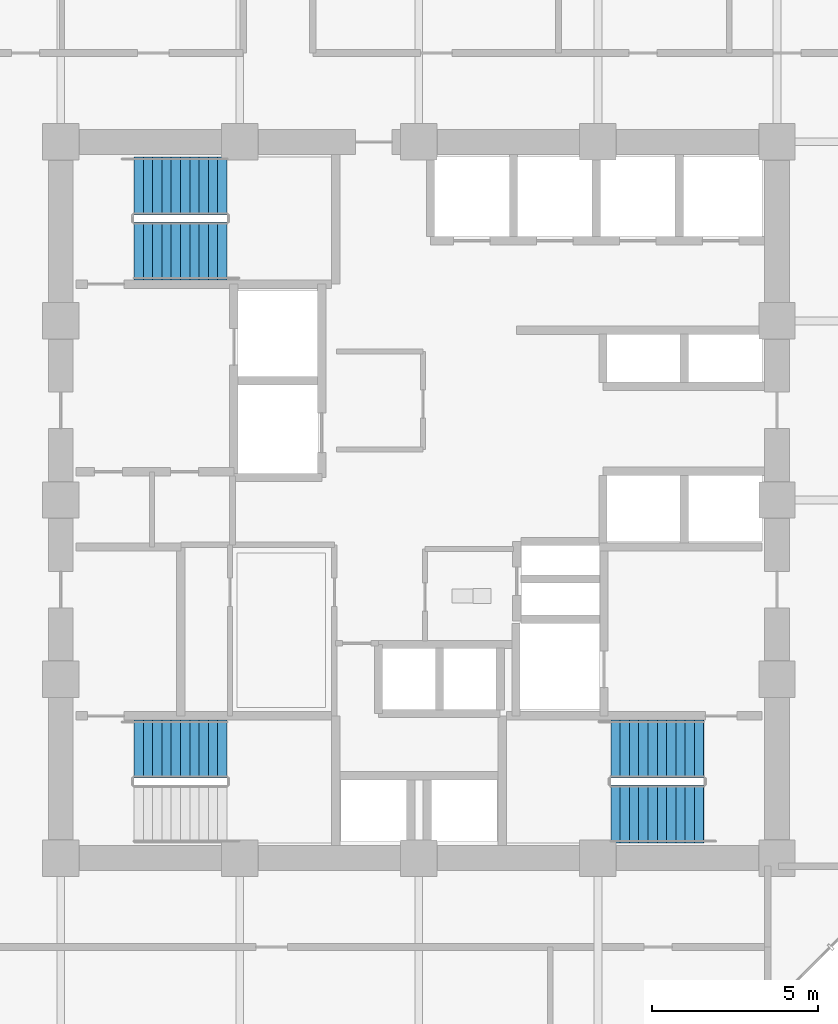
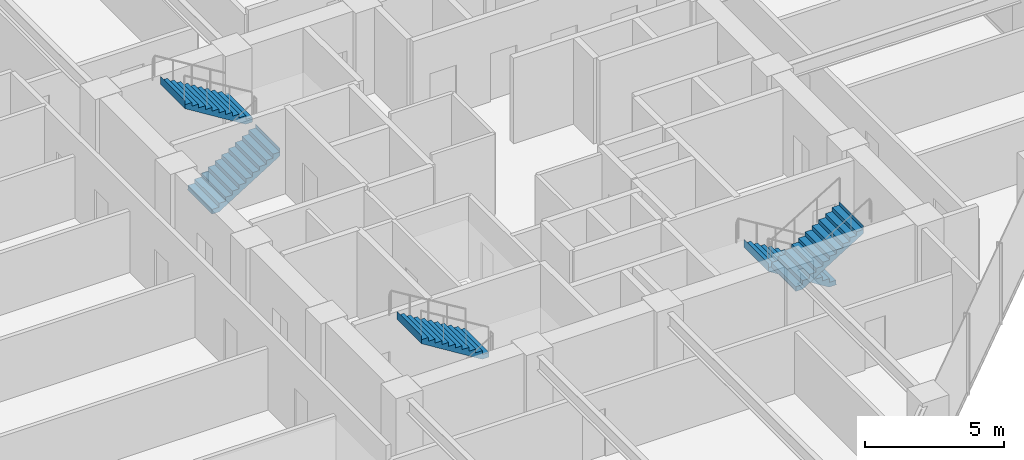
# One storey, part 22 of 25: 5 stair flights, 3 elements without a shape of their own.
"""IFC4 building model written with IfcOpenShell, lengths in metres."""

import ifcopenshell
import ifcopenshell.guid

model = None  # the IFC model being written
_history = None  # IfcOwnerHistory: only IFC2X3 demands one
_inside = {}  # id of a spatial element -> (the spatial element, [elements in it])
_under = {}  # id of a project, library or spatial element -> (it, [spatial elements below it])
_declared = {}  # id of a project -> (the project, [libraries it declares])
_typed = {}  # id of a type object -> (the type object, [elements of that type])
_made_of = {}  # id of a material, layer set ... -> (it, [elements and type objects made of it])


def new_model(schema):
    """Start an empty IFC model of exactly this schema.

    Asked for "IFC4X3", IfcOpenShell would pick the latest addendum, in which some entities
    have other attributes; the version numbers below select the first issue.
    IFC2X3 requires an IfcOwnerHistory on every rooted entity: one is made here for all.
    """
    global model, _history
    if schema == "IFC4X3":
        model = ifcopenshell.file(schema_version=(4, 3, 0, 0))
    else:
        model = ifcopenshell.file(schema=schema)
    _inside.clear()
    _under.clear()
    _declared.clear()
    _typed.clear()
    _made_of.clear()
    _history = None
    if model.schema == "IFC2X3":
        org = make("IfcOrganization", Name="unknown")
        user = make(
            "IfcPersonAndOrganization",
            ThePerson=make("IfcPerson", FamilyName="unknown"),
            TheOrganization=org,
        )
        app = make(
            "IfcApplication",
            ApplicationDeveloper=org,
            Version="unknown",
            ApplicationFullName="unknown",
            ApplicationIdentifier="unknown",
        )
        _history = make(
            "IfcOwnerHistory",
            OwningUser=user,
            OwningApplication=app,
            ChangeAction="ADDED",
            CreationDate=0,
        )
    return model


def make(cls, **values):
    """One entity of the class cls with the attributes given. An attribute that is None is left unset."""
    return model.create_entity(
        cls, **{name: value for name, value in values.items() if value is not None}
    )


def rooted(cls, **values):
    """An entity with a GlobalId (a new one), such as an element, a storey or a relation."""
    return make(cls, GlobalId=ifcopenshell.guid.new(), OwnerHistory=_history, **values)


def si_unit(unit_type, name, prefix=None):
    """IfcSIUnit, for example si_unit("LENGTHUNIT", "METRE", prefix="MILLI")."""
    return make("IfcSIUnit", UnitType=unit_type, Prefix=prefix, Name=name)


def assignment(units):
    """IfcUnitAssignment: the units of a project."""
    return None if units is None else make("IfcUnitAssignment", Units=units)


def point(xyz):
    """IfcCartesianPoint."""
    return None if xyz is None else make("IfcCartesianPoint", Coordinates=xyz)


def direction(xyz):
    """IfcDirection."""
    return None if xyz is None else make("IfcDirection", DirectionRatios=xyz)


def frame(location, z_axis=None, x_axis=None):
    """IfcAxis2Placement3D, a coordinate frame: its origin and axes. An axis left out is left unset."""
    return make(
        "IfcAxis2Placement3D",
        Location=point(location),
        Axis=direction(z_axis),
        RefDirection=direction(x_axis),
    )


def origin():
    """The frame at (0, 0, 0) with its axes left unset."""
    return frame((0.0, 0.0, 0.0))


def place(relative_to, where):
    """IfcLocalPlacement: puts the frame where relative to a parent placement (None: the world)."""
    return make(
        "IfcLocalPlacement", PlacementRelTo=relative_to, RelativePlacement=where
    )


def context(
    kind, dimensions, precision=None, world=None, true_north=None, identifier=None
):
    """IfcGeometricRepresentationContext, for example the 3D "Model" context."""
    return make(
        "IfcGeometricRepresentationContext",
        ContextIdentifier=identifier,
        ContextType=kind,
        CoordinateSpaceDimension=dimensions,
        Precision=precision,
        WorldCoordinateSystem=world,
        TrueNorth=true_north,
    )


def subcontext(parent, identifier, kind, view, scale=None):
    """IfcGeometricRepresentationSubContext, for example "Body" below "Model"."""
    return make(
        "IfcGeometricRepresentationSubContext",
        ContextIdentifier=identifier,
        ContextType=kind,
        ParentContext=parent,
        TargetScale=scale,
        TargetView=view,
    )


def project(units=None, contexts=None):
    """IfcProject with its units and contexts."""
    return rooted(
        "IfcProject",
        Name="project",
        RepresentationContexts=contexts,
        UnitsInContext=assignment(units),
    )


def spatial(cls, under=None, at=None, **own):
    """A site, building, storey or space (cls), placed at a placement, below another one or the project."""
    s = rooted(cls, ObjectPlacement=at, **own)
    if under is not None:
        _under.setdefault(under.id(), (under, []))[1].append(s)
    return s


def polyline(points):
    """IfcPolyline through the points."""
    return make("IfcPolyline", Points=[point(p) for p in points])


def outline(outer, holes=None, kind="AREA"):
    """IfcArbitraryClosedProfileDef: a profile drawn as a closed curve; with holes, ...WithVoids."""
    if holes is None:
        return make("IfcArbitraryClosedProfileDef", ProfileType=kind, OuterCurve=outer)
    return make(
        "IfcArbitraryProfileDefWithVoids",
        ProfileType=kind,
        OuterCurve=outer,
        InnerCurves=holes,
    )


def extrude(swept, where, along, depth):
    """IfcExtrudedAreaSolid: the profile swept, set in the frame where, extruded along a direction by depth."""
    return make(
        "IfcExtrudedAreaSolid",
        SweptArea=swept,
        Position=where,
        ExtrudedDirection=direction(along),
        Depth=depth,
    )


def shape(context_of_items, identifier, shape_type, items):
    """IfcShapeRepresentation: the items that make up one representation, for example the "Body"."""
    return make(
        "IfcShapeRepresentation",
        ContextOfItems=context_of_items,
        RepresentationIdentifier=identifier,
        RepresentationType=shape_type,
        Items=items,
    )


def material(Name=None, Category=None):
    """IfcMaterial."""
    return make("IfcMaterial", Name=Name, Category=Category)


def made_of(thing, what):
    """Note that an element or type object is made of a material, layer set ...; save() writes the relation."""
    if what is not None:
        _made_of.setdefault(what.id(), (what, []))[1].append(thing)
    return thing


def type_object(cls, material=None, **own):
    """A type object (cls), such as IfcWallType, which elements share."""
    return made_of(rooted(cls, **own), material)


def element(
    cls,
    number,
    at=None,
    inside=None,
    cuts=None,
    type_object=None,
    material=None,
    context=None,
    identifier="Body",
    shape_type=None,
    held_by="IfcProductDefinitionShape",
    body=None,
    shapes=None,
    **own,
):
    """One element of the class cls, such as IfcWall. Its Tag is "e" and its number.

    at: its placement. inside: the storey or other place that contains it. cuts: it is an
    opening in that element (IfcRelVoidsElement). A single representation is given by context,
    identifier, shape_type and body (its items); several are given by shapes. held_by: the class
    of the entity that holds the representations. save() writes the other relations.
    """
    e = rooted(cls, Tag="e%d" % number, ObjectPlacement=at, **own)
    if body is not None:
        shapes = [shape(context, identifier, shape_type, body)]
    if shapes is not None:
        e.Representation = make(held_by, Representations=shapes)
    if inside is not None:
        _inside.setdefault(inside.id(), (inside, []))[1].append(e)
    if cuts is not None:
        rooted(
            "IfcRelVoidsElement", RelatingBuildingElement=cuts, RelatedOpeningElement=e
        )
    if type_object is not None:
        _typed.setdefault(type_object.id(), (type_object, []))[1].append(e)
    return made_of(e, material)


def aggregate(whole, parts):
    """IfcRelAggregates: a whole, such as a stair, and the parts it consists of."""
    return rooted("IfcRelAggregates", RelatingObject=whole, RelatedObjects=parts)


def save(model, path):
    """Write the relations noted so far, then the file.

    IfcRelAggregates (storeys below a building ...), IfcRelContainedInSpatialStructure (elements
    in a storey), IfcRelDefinesByType, IfcRelAssociatesMaterial and IfcRelDeclares: one each for
    every whole, place, type object, material and project.
    """
    for whole, parts in _under.values():
        aggregate(whole, parts)
    for where, things in _inside.values():
        rooted(
            "IfcRelContainedInSpatialStructure",
            RelatedElements=things,
            RelatingStructure=where,
        )
    for kind, things in _typed.values():
        rooted("IfcRelDefinesByType", RelatedObjects=things, RelatingType=kind)
    for what, things in _made_of.values():
        rooted("IfcRelAssociatesMaterial", RelatedObjects=things, RelatingMaterial=what)
    for by, libraries in _declared.values():
        rooted("IfcRelDeclares", RelatingContext=by, RelatedDefinitions=libraries)
    model.write(path)


model = new_model("IFC4")

# Units and contexts
model_context = context("Model", 3, precision=1e-05, world=origin(), true_north=direction((0.0, 1.0)))
body_context = subcontext(model_context, "Body", "Model", "MODEL_VIEW")
ifc_project = project(units=[si_unit("LENGTHUNIT", "METRE"), si_unit("AREAUNIT", "SQUARE_METRE"), si_unit("VOLUMEUNIT", "CUBIC_METRE"), si_unit("PLANEANGLEUNIT", "RADIAN"), si_unit("MASSUNIT", "GRAM", prefix="KILO")], contexts=[model_context])

# Site, building, storey
site_placement = place(None, origin())
site = spatial("IfcSite", under=ifc_project, at=site_placement, CompositionType="ELEMENT")
building_placement = place(site_placement, origin())
building = spatial("IfcBuilding", under=site, at=building_placement, Name="Surkhivell Harbour Commons", CompositionType="ELEMENT")
storey_placement = place(building_placement, frame((0.0, 0.0, 113.25)))
storey = spatial("IfcBuildingStorey", under=building, at=storey_placement, Name="L29", CompositionType="ELEMENT", Elevation=113.25)

# Stair, stair flights
ifc_material = material(Name="Precast concrete C45/55", Category="concrete")
stair_type = type_object("IfcStairType", Name="STR-DL-375", PredefinedType="HALF_TURN_STAIR", material=ifc_material)
stair_1_placement = place(storey_placement, origin())
stair_1 = element("IfcStair", 1, at=stair_1_placement, inside=storey, type_object=stair_type, Name="L29 Core Exit Stair ST1", PredefinedType="HALF_TURN_STAIR")
stair_flight_type = type_object("IfcStairFlightType", Name="STF-DL-375", PredefinedType="STRAIGHT", material=ifc_material)
stair_flight_1_placement = place(storey_placement, frame((-8.590087890625, 7.514892578125, 0.0), z_axis=(0.0, 0.0, 1.0), x_axis=(1.0, 0.0, 0.0)))
stair_flight_1 = element("IfcStairFlight", 2, at=stair_flight_1_placement, type_object=stair_flight_type, Name="ST1 flight 1", NumberOfRisers=11, NumberOfTreads=10, PredefinedType="STRAIGHT", RiserHeight=0.170454545, TreadLength=0.28, context=body_context, shape_type="SweptSolid", body=[
    extrude(outline(polyline([(-0.0029296875, -0.034912109375), (-0.0029296875, 0.0), (0.0, 0.0), (0.0, 0.17041015625), (0.280029296875, 0.17041015625), (0.280029296875, 0.3408203125), (0.56005859375, 0.3408203125), (0.56005859375, 0.511474609375), (0.840087890625, 0.511474609375), (0.840087890625, 0.681884765625), (1.1201171875, 0.681884765625), (1.1201171875, 0.852294921875), (1.39990234375, 0.852294921875), (1.39990234375, 1.022705078125), (1.679931640625, 1.022705078125), (1.679931640625, 1.193115234375), (1.9599609375, 1.193115234375), (1.9599609375, 1.363525390625), (2.239990234375, 1.363525390625), (2.239990234375, 1.5341796875), (2.52001953125, 1.5341796875), (2.52001953125, 1.70458984375), (2.800048828125, 1.70458984375), (2.800048828125, 1.875), (2.802978515625, 1.875), (2.802978515625, 1.529052734375), (0.288330078125, -0.034912109375), (-0.0029296875, -0.034912109375)])), frame((0.0, 0.875, 0.0), z_axis=(0.0, -1.0, 0.0), x_axis=(1.0, 0.0, 0.0)), (0.0, 0.0, 1.0), 1.75),
])
stair_flight_2_placement = place(storey_placement, frame((-5.7900390625, 9.465087890625, 1.875), z_axis=(0.0, 0.0, 1.0), x_axis=(-1.0, 0.0, 0.0)))
stair_flight_2 = element("IfcStairFlight", 3, at=stair_flight_2_placement, type_object=stair_flight_type, Name="ST1 flight 2", NumberOfRisers=11, NumberOfTreads=10, PredefinedType="STRAIGHT", RiserHeight=0.170454545, TreadLength=0.28, context=body_context, shape_type="SweptSolid", body=[
    extrude(outline(polyline([(-0.0029296875, -0.034912109375), (-0.0029296875, 0.0), (0.0, 0.0), (0.0, 0.17041015625), (0.280029296875, 0.17041015625), (0.280029296875, 0.3408203125), (0.56005859375, 0.3408203125), (0.56005859375, 0.511474609375), (0.840087890625, 0.511474609375), (0.840087890625, 0.681884765625), (1.1201171875, 0.681884765625), (1.1201171875, 0.852294921875), (1.39990234375, 0.852294921875), (1.39990234375, 1.022705078125), (1.679931640625, 1.022705078125), (1.679931640625, 1.193115234375), (1.9599609375, 1.193115234375), (1.9599609375, 1.363525390625), (2.239990234375, 1.363525390625), (2.239990234375, 1.5341796875), (2.52001953125, 1.5341796875), (2.52001953125, 1.70458984375), (2.800048828125, 1.70458984375), (2.800048828125, 1.875), (2.802978515625, 1.875), (2.802978515625, 1.529052734375), (0.288330078125, -0.034912109375), (-0.0029296875, -0.034912109375)])), frame((0.0, 0.875, 0.0), z_axis=(0.0, -1.0, 0.0), x_axis=(1.0, 0.0, 0.0)), (0.0, 0.0, 1.0), 1.75),
])
aggregate(stair_1, [stair_flight_1, stair_flight_2])

stair_2_placement = place(storey_placement, origin())
stair_2 = element("IfcStair", 4, at=stair_2_placement, inside=storey, type_object=stair_type, Name="L29 Core Exit Stair ST2", PredefinedType="HALF_TURN_STAIR")
stair_flight_3_placement = place(storey_placement, frame((8.590087890625, -7.514892578125, 0.0), z_axis=(0.0, 0.0, 1.0), x_axis=(-1.0, 0.0, 0.0)))
stair_flight_3 = element("IfcStairFlight", 5, at=stair_flight_3_placement, type_object=stair_flight_type, Name="ST2 flight 1", NumberOfRisers=11, NumberOfTreads=10, PredefinedType="STRAIGHT", RiserHeight=0.170454545, TreadLength=0.28, context=body_context, shape_type="SweptSolid", body=[
    extrude(outline(polyline([(-0.0029296875, -0.034912109375), (-0.0029296875, 0.0), (0.0, 0.0), (0.0, 0.17041015625), (0.280029296875, 0.17041015625), (0.280029296875, 0.3408203125), (0.56005859375, 0.3408203125), (0.56005859375, 0.511474609375), (0.840087890625, 0.511474609375), (0.840087890625, 0.681884765625), (1.1201171875, 0.681884765625), (1.1201171875, 0.852294921875), (1.39990234375, 0.852294921875), (1.39990234375, 1.022705078125), (1.679931640625, 1.022705078125), (1.679931640625, 1.193115234375), (1.9599609375, 1.193115234375), (1.9599609375, 1.363525390625), (2.239990234375, 1.363525390625), (2.239990234375, 1.5341796875), (2.52001953125, 1.5341796875), (2.52001953125, 1.70458984375), (2.800048828125, 1.70458984375), (2.800048828125, 1.875), (2.802978515625, 1.875), (2.802978515625, 1.529052734375), (0.288330078125, -0.034912109375), (-0.0029296875, -0.034912109375)])), frame((0.0, 0.875, 0.0), z_axis=(0.0, -1.0, 0.0), x_axis=(1.0, 0.0, 0.0)), (0.0, 0.0, 1.0), 1.75),
])
stair_flight_4_placement = place(storey_placement, frame((5.7900390625, -9.465087890625, 1.875), z_axis=(0.0, 0.0, 1.0), x_axis=(1.0, 0.0, 0.0)))
stair_flight_4 = element("IfcStairFlight", 6, at=stair_flight_4_placement, type_object=stair_flight_type, Name="ST2 flight 2", NumberOfRisers=11, NumberOfTreads=10, PredefinedType="STRAIGHT", RiserHeight=0.170454545, TreadLength=0.28, context=body_context, shape_type="SweptSolid", body=[
    extrude(outline(polyline([(-0.0029296875, -0.034912109375), (-0.0029296875, 0.0), (0.0, 0.0), (0.0, 0.17041015625), (0.280029296875, 0.17041015625), (0.280029296875, 0.3408203125), (0.56005859375, 0.3408203125), (0.56005859375, 0.511474609375), (0.840087890625, 0.511474609375), (0.840087890625, 0.681884765625), (1.1201171875, 0.681884765625), (1.1201171875, 0.852294921875), (1.39990234375, 0.852294921875), (1.39990234375, 1.022705078125), (1.679931640625, 1.022705078125), (1.679931640625, 1.193115234375), (1.9599609375, 1.193115234375), (1.9599609375, 1.363525390625), (2.239990234375, 1.363525390625), (2.239990234375, 1.5341796875), (2.52001953125, 1.5341796875), (2.52001953125, 1.70458984375), (2.800048828125, 1.70458984375), (2.800048828125, 1.875), (2.802978515625, 1.875), (2.802978515625, 1.529052734375), (0.288330078125, -0.034912109375), (-0.0029296875, -0.034912109375)])), frame((0.0, 0.875, 0.0), z_axis=(0.0, -1.0, 0.0), x_axis=(1.0, 0.0, 0.0)), (0.0, 0.0, 1.0), 1.75),
])
aggregate(stair_2, [stair_flight_3, stair_flight_4])

# Stair, stair flight
stair_3_placement = place(storey_placement, origin())
stair_3 = element("IfcStair", 7, at=stair_3_placement, inside=storey, type_object=stair_type, Name="L29 Core Exit Stair ST3", PredefinedType="HALF_TURN_STAIR")
stair_flight_5_placement = place(storey_placement, frame((-5.7900390625, -7.514892578125, 1.875), z_axis=(0.0, 0.0, 1.0), x_axis=(-1.0, 0.0, 0.0)))
stair_flight_5 = element("IfcStairFlight", 8, at=stair_flight_5_placement, type_object=stair_flight_type, Name="ST3 flight 2", NumberOfRisers=11, NumberOfTreads=10, PredefinedType="STRAIGHT", RiserHeight=0.170454545, TreadLength=0.28, context=body_context, shape_type="SweptSolid", body=[
    extrude(outline(polyline([(-0.0029296875, -0.034912109375), (-0.0029296875, 0.0), (0.0, 0.0), (0.0, 0.17041015625), (0.280029296875, 0.17041015625), (0.280029296875, 0.3408203125), (0.56005859375, 0.3408203125), (0.56005859375, 0.511474609375), (0.840087890625, 0.511474609375), (0.840087890625, 0.681884765625), (1.1201171875, 0.681884765625), (1.1201171875, 0.852294921875), (1.39990234375, 0.852294921875), (1.39990234375, 1.022705078125), (1.679931640625, 1.022705078125), (1.679931640625, 1.193115234375), (1.9599609375, 1.193115234375), (1.9599609375, 1.363525390625), (2.239990234375, 1.363525390625), (2.239990234375, 1.5341796875), (2.52001953125, 1.5341796875), (2.52001953125, 1.70458984375), (2.800048828125, 1.70458984375), (2.800048828125, 1.875), (2.802978515625, 1.875), (2.802978515625, 1.529052734375), (0.288330078125, -0.034912109375), (-0.0029296875, -0.034912109375)])), frame((0.0, 0.875, 0.0), z_axis=(0.0, -1.0, 0.0), x_axis=(1.0, 0.0, 0.0)), (0.0, 0.0, 1.0), 1.75),
])
aggregate(stair_3, [stair_flight_5])

save(model, "model.ifc")
